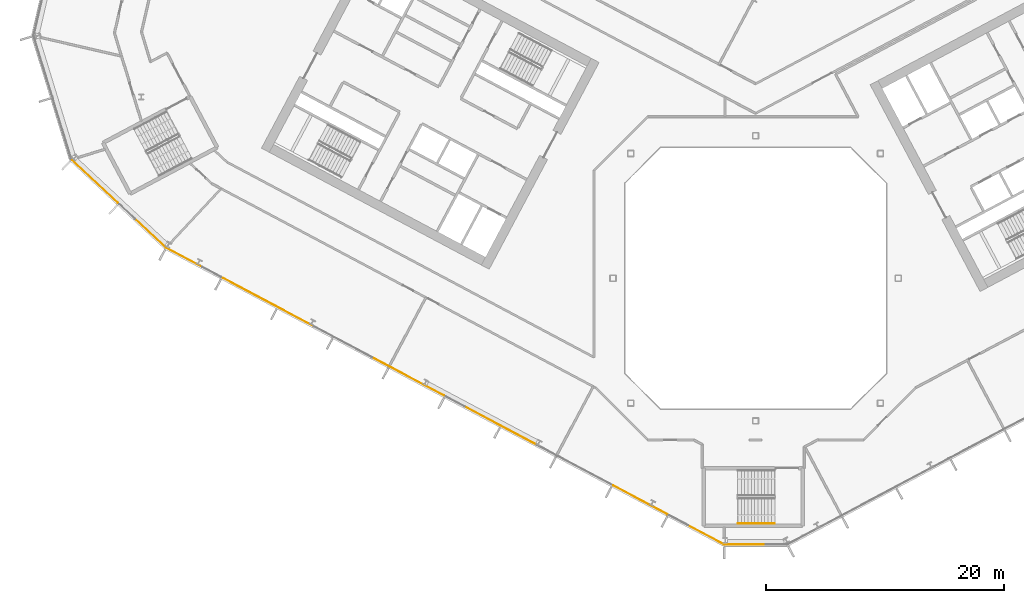
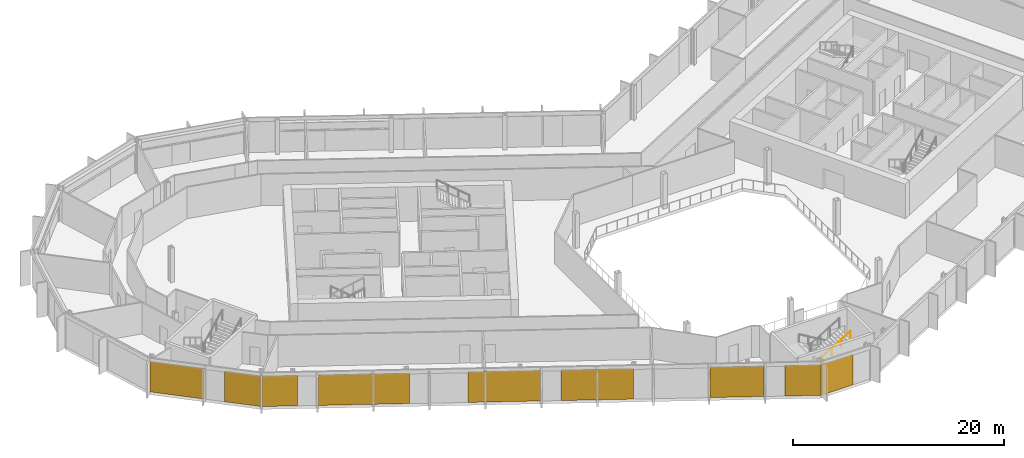
# One storey, part 19 of 28: 9 coverings, 1 railing, 3 elements without a shape of their own.
"""IFC4 building model written with IfcOpenShell, lengths in metres."""

import ifcopenshell
import ifcopenshell.guid

model = None  # the IFC model being written
_history = None  # IfcOwnerHistory: only IFC2X3 demands one
_inside = {}  # id of a spatial element -> (the spatial element, [elements in it])
_under = {}  # id of a project, library or spatial element -> (it, [spatial elements below it])
_declared = {}  # id of a project -> (the project, [libraries it declares])
_typed = {}  # id of a type object -> (the type object, [elements of that type])
_made_of = {}  # id of a material, layer set ... -> (it, [elements and type objects made of it])


def new_model(schema):
    """Start an empty IFC model of exactly this schema.

    Asked for "IFC4X3", IfcOpenShell would pick the latest addendum, in which some entities
    have other attributes; the version numbers below select the first issue.
    IFC2X3 requires an IfcOwnerHistory on every rooted entity: one is made here for all.
    """
    global model, _history
    if schema == "IFC4X3":
        model = ifcopenshell.file(schema_version=(4, 3, 0, 0))
    else:
        model = ifcopenshell.file(schema=schema)
    _inside.clear()
    _under.clear()
    _declared.clear()
    _typed.clear()
    _made_of.clear()
    _history = None
    if model.schema == "IFC2X3":
        org = make("IfcOrganization", Name="unknown")
        user = make(
            "IfcPersonAndOrganization",
            ThePerson=make("IfcPerson", FamilyName="unknown"),
            TheOrganization=org,
        )
        app = make(
            "IfcApplication",
            ApplicationDeveloper=org,
            Version="unknown",
            ApplicationFullName="unknown",
            ApplicationIdentifier="unknown",
        )
        _history = make(
            "IfcOwnerHistory",
            OwningUser=user,
            OwningApplication=app,
            ChangeAction="ADDED",
            CreationDate=0,
        )
    return model


def make(cls, **values):
    """One entity of the class cls with the attributes given. An attribute that is None is left unset."""
    return model.create_entity(
        cls, **{name: value for name, value in values.items() if value is not None}
    )


def rooted(cls, **values):
    """An entity with a GlobalId (a new one), such as an element, a storey or a relation."""
    return make(cls, GlobalId=ifcopenshell.guid.new(), OwnerHistory=_history, **values)


def si_unit(unit_type, name, prefix=None):
    """IfcSIUnit, for example si_unit("LENGTHUNIT", "METRE", prefix="MILLI")."""
    return make("IfcSIUnit", UnitType=unit_type, Prefix=prefix, Name=name)


def assignment(units):
    """IfcUnitAssignment: the units of a project."""
    return None if units is None else make("IfcUnitAssignment", Units=units)


def point(xyz):
    """IfcCartesianPoint."""
    return None if xyz is None else make("IfcCartesianPoint", Coordinates=xyz)


def direction(xyz):
    """IfcDirection."""
    return None if xyz is None else make("IfcDirection", DirectionRatios=xyz)


def frame(location, z_axis=None, x_axis=None):
    """IfcAxis2Placement3D, a coordinate frame: its origin and axes. An axis left out is left unset."""
    return make(
        "IfcAxis2Placement3D",
        Location=point(location),
        Axis=direction(z_axis),
        RefDirection=direction(x_axis),
    )


def frame_2d(location, x_axis=None):
    """IfcAxis2Placement2D, a coordinate frame in the plane: its origin and x axis."""
    return make(
        "IfcAxis2Placement2D", Location=point(location), RefDirection=direction(x_axis)
    )


def origin():
    """The frame at (0, 0, 0) with its axes left unset."""
    return frame((0.0, 0.0, 0.0))


def origin_2d():
    """The frame at (0, 0) in the plane with its x axis left unset."""
    return frame_2d((0.0, 0.0))


def place(relative_to, where):
    """IfcLocalPlacement: puts the frame where relative to a parent placement (None: the world)."""
    return make(
        "IfcLocalPlacement", PlacementRelTo=relative_to, RelativePlacement=where
    )


def context(
    kind, dimensions, precision=None, world=None, true_north=None, identifier=None
):
    """IfcGeometricRepresentationContext, for example the 3D "Model" context."""
    return make(
        "IfcGeometricRepresentationContext",
        ContextIdentifier=identifier,
        ContextType=kind,
        CoordinateSpaceDimension=dimensions,
        Precision=precision,
        WorldCoordinateSystem=world,
        TrueNorth=true_north,
    )


def subcontext(parent, identifier, kind, view, scale=None):
    """IfcGeometricRepresentationSubContext, for example "Body" below "Model"."""
    return make(
        "IfcGeometricRepresentationSubContext",
        ContextIdentifier=identifier,
        ContextType=kind,
        ParentContext=parent,
        TargetScale=scale,
        TargetView=view,
    )


def project(units=None, contexts=None):
    """IfcProject with its units and contexts."""
    return rooted(
        "IfcProject",
        Name="project",
        RepresentationContexts=contexts,
        UnitsInContext=assignment(units),
    )


def spatial(cls, under=None, at=None, **own):
    """A site, building, storey or space (cls), placed at a placement, below another one or the project."""
    s = rooted(cls, ObjectPlacement=at, **own)
    if under is not None:
        _under.setdefault(under.id(), (under, []))[1].append(s)
    return s


def polyline(points):
    """IfcPolyline through the points."""
    return make("IfcPolyline", Points=[point(p) for p in points])


def profile(cls, at=None, kind="AREA", **sizes):
    """A parametric profile (cls). Its sizes go by their IFC names, for example OverallWidth=200.0."""
    return make(cls, ProfileType=kind, Position=at, **sizes)


def rectangle(**sizes):
    """IfcRectangleProfileDef."""
    return profile("IfcRectangleProfileDef", **sizes)


def outline(outer, holes=None, kind="AREA"):
    """IfcArbitraryClosedProfileDef: a profile drawn as a closed curve; with holes, ...WithVoids."""
    if holes is None:
        return make("IfcArbitraryClosedProfileDef", ProfileType=kind, OuterCurve=outer)
    return make(
        "IfcArbitraryProfileDefWithVoids",
        ProfileType=kind,
        OuterCurve=outer,
        InnerCurves=holes,
    )


def extrude(swept, where, along, depth):
    """IfcExtrudedAreaSolid: the profile swept, set in the frame where, extruded along a direction by depth."""
    return make(
        "IfcExtrudedAreaSolid",
        SweptArea=swept,
        Position=where,
        ExtrudedDirection=direction(along),
        Depth=depth,
    )


def shape(context_of_items, identifier, shape_type, items):
    """IfcShapeRepresentation: the items that make up one representation, for example the "Body"."""
    return make(
        "IfcShapeRepresentation",
        ContextOfItems=context_of_items,
        RepresentationIdentifier=identifier,
        RepresentationType=shape_type,
        Items=items,
    )


def material(Name=None, Category=None):
    """IfcMaterial."""
    return make("IfcMaterial", Name=Name, Category=Category)


def layer(
    of_material, thickness, ventilated=None, Name=None, Category=None, Priority=None
):
    """IfcMaterialLayer: one layer of a wall or slab, of a material (None: an air gap)."""
    return make(
        "IfcMaterialLayer",
        Material=of_material,
        LayerThickness=thickness,
        IsVentilated=ventilated,
        Name=Name,
        Category=Category,
        Priority=Priority,
    )


def layer_set(layers, Name=None):
    """IfcMaterialLayerSet."""
    return make("IfcMaterialLayerSet", MaterialLayers=layers, LayerSetName=Name)


def made_of(thing, what):
    """Note that an element or type object is made of a material, layer set ...; save() writes the relation."""
    if what is not None:
        _made_of.setdefault(what.id(), (what, []))[1].append(thing)
    return thing


def type_object(cls, material=None, **own):
    """A type object (cls), such as IfcWallType, which elements share."""
    return made_of(rooted(cls, **own), material)


def element(
    cls,
    number,
    at=None,
    inside=None,
    cuts=None,
    type_object=None,
    material=None,
    context=None,
    identifier="Body",
    shape_type=None,
    held_by="IfcProductDefinitionShape",
    body=None,
    shapes=None,
    **own,
):
    """One element of the class cls, such as IfcWall. Its Tag is "e" and its number.

    at: its placement. inside: the storey or other place that contains it. cuts: it is an
    opening in that element (IfcRelVoidsElement). A single representation is given by context,
    identifier, shape_type and body (its items); several are given by shapes. held_by: the class
    of the entity that holds the representations. save() writes the other relations.
    """
    e = rooted(cls, Tag="e%d" % number, ObjectPlacement=at, **own)
    if body is not None:
        shapes = [shape(context, identifier, shape_type, body)]
    if shapes is not None:
        e.Representation = make(held_by, Representations=shapes)
    if inside is not None:
        _inside.setdefault(inside.id(), (inside, []))[1].append(e)
    if cuts is not None:
        rooted(
            "IfcRelVoidsElement", RelatingBuildingElement=cuts, RelatedOpeningElement=e
        )
    if type_object is not None:
        _typed.setdefault(type_object.id(), (type_object, []))[1].append(e)
    return made_of(e, material)


def aggregate(whole, parts):
    """IfcRelAggregates: a whole, such as a stair, and the parts it consists of."""
    return rooted("IfcRelAggregates", RelatingObject=whole, RelatedObjects=parts)


def save(model, path):
    """Write the relations noted so far, then the file.

    IfcRelAggregates (storeys below a building ...), IfcRelContainedInSpatialStructure (elements
    in a storey), IfcRelDefinesByType, IfcRelAssociatesMaterial and IfcRelDeclares: one each for
    every whole, place, type object, material and project.
    """
    for whole, parts in _under.values():
        aggregate(whole, parts)
    for where, things in _inside.values():
        rooted(
            "IfcRelContainedInSpatialStructure",
            RelatedElements=things,
            RelatingStructure=where,
        )
    for kind, things in _typed.values():
        rooted("IfcRelDefinesByType", RelatedObjects=things, RelatingType=kind)
    for what, things in _made_of.values():
        rooted("IfcRelAssociatesMaterial", RelatedObjects=things, RelatingMaterial=what)
    for by, libraries in _declared.values():
        rooted("IfcRelDeclares", RelatingContext=by, RelatedDefinitions=libraries)
    model.write(path)


model = new_model("IFC4")

# Units and contexts
model_context = context("Model", 3, precision=1e-05, world=origin(), true_north=direction((0.0, 1.0)))
body_context = subcontext(model_context, "Body", "Model", "MODEL_VIEW")
ifc_project = project(units=[si_unit("LENGTHUNIT", "METRE"), si_unit("AREAUNIT", "SQUARE_METRE"), si_unit("VOLUMEUNIT", "CUBIC_METRE"), si_unit("PLANEANGLEUNIT", "RADIAN"), si_unit("MASSUNIT", "GRAM", prefix="KILO")], contexts=[model_context])

# Site, building, storey
site_placement = place(None, origin())
site = spatial("IfcSite", under=ifc_project, at=site_placement, CompositionType="ELEMENT")
building_placement = place(site_placement, origin())
building = spatial("IfcBuilding", under=site, at=building_placement, Name="Cormorant Relay Tower", CompositionType="ELEMENT")
storey_placement = place(building_placement, frame((0.0, 0.0, 158.199951171875)))
storey = spatial("IfcBuildingStorey", under=building, at=storey_placement, Name="L33", CompositionType="ELEMENT", Elevation=158.199951171875)

# Curtain wall, covering
ifc_material_1 = material(Name="Aluminium 6063-T6 anodised bronze", Category="aluminium")
ifc_layer_1 = layer(ifc_material_1, 0.199951171875)
ifc_layer_set_1 = layer_set([ifc_layer_1], Name="CW1 unitised bronze curtain wall with vertical fins")
curtain_wall_type = type_object("IfcCurtainWallType", Name="CW1 unitised bronze curtain wall with vertical fins", PredefinedType="NOTDEFINED", material=ifc_layer_set_1)
curtain_wall_1_placement = place(storey_placement, origin())
curtain_wall_1 = element("IfcCurtainWall", 1, at=curtain_wall_1_placement, inside=storey, type_object=curtain_wall_type, Name="CW1 curtain wall 1", PredefinedType="NOTDEFINED")
ifc_material_2 = material(Name="Pale bronze anodised aluminium insulated panel", Category="aluminium")
ifc_layer_2 = layer(ifc_material_2, 0.0400390625)
ifc_layer_set_2 = layer_set([ifc_layer_2], Name="CW1 pale bronze insulated panel 40")
covering_type = type_object("IfcCoveringType", Name="CW1 pale bronze insulated panel 40", PredefinedType="CLADDING", material=ifc_layer_set_2)
covering_1_placement = place(storey_placement, frame((-0.862548828125, -22.3955078125, 0.0), z_axis=(0.0, 0.0, 1.0), x_axis=(1.0, 0.0, 0.0)))
covering_1 = element("IfcCovering", 2, at=covering_1_placement, type_object=covering_type, Name="CW1 panel S00", PredefinedType="CLADDING", context=body_context, shape_type="SweptSolid", body=[
    extrude(rectangle(XDim=3.422607421875, YDim=0.0400390625, at=origin_2d()), origin(), (0.0, 0.0, 1.0), 3.550048828125),
])
aggregate(curtain_wall_1, [covering_1])

# Curtain wall, coverings
curtain_wall_2_placement = place(storey_placement, origin())
curtain_wall_2 = element("IfcCurtainWall", 3, at=curtain_wall_2_placement, inside=storey, type_object=curtain_wall_type, Name="CW1 curtain wall 15", PredefinedType="NOTDEFINED")
covering_2_placement = place(storey_placement, frame((-55.56787109375, 8.1298828125, 0.0), z_axis=(0.0, 0.0, 1.0), x_axis=(0.731353701619, -0.681998360062, 0.0)))
covering_2 = element("IfcCovering", 4, at=covering_2_placement, type_object=covering_type, Name="CW1 panel S00", PredefinedType="CLADDING", context=body_context, shape_type="SweptSolid", body=[
    extrude(rectangle(XDim=5.28515625, YDim=0.0400390625, at=origin_2d()), origin(), (0.0, 0.0, 1.0), 3.550048828125),
])
covering_3_placement = place(storey_placement, frame((-50.906982421875, 3.78369140625, 0.0), z_axis=(0.0, 0.0, 1.0), x_axis=(0.731353701619, -0.681998360062, 0.0)))
covering_3 = element("IfcCovering", 5, at=covering_3_placement, type_object=covering_type, Name="CW1 panel S02", PredefinedType="CLADDING", context=body_context, shape_type="SweptSolid", body=[
    extrude(rectangle(XDim=3.560302734375, YDim=0.0400390625, at=origin_2d()), origin(), (0.0, 0.0, 1.0), 3.550048828125),
])
aggregate(curtain_wall_2, [covering_2, covering_3])

curtain_wall_3_placement = place(storey_placement, origin())
curtain_wall_3 = element("IfcCurtainWall", 6, at=curtain_wall_3_placement, inside=storey, type_object=curtain_wall_type, Name="CW1 curtain wall 16", PredefinedType="NOTDEFINED")
covering_4_placement = place(storey_placement, frame((-48.048583984375, 1.7412109375, 0.0), z_axis=(0.0, 0.0, 1.0), x_axis=(0.882947592859, -0.469471562786, 0.0)))
covering_4 = element("IfcCovering", 7, at=covering_4_placement, type_object=covering_type, Name="CW1 panel S00", PredefinedType="CLADDING", context=body_context, shape_type="SweptSolid", body=[
    extrude(rectangle(XDim=3.36669921875, YDim=0.0400390625, at=origin_2d()), origin(), (0.0, 0.0, 1.0), 3.550048828125),
])
covering_5_placement = place(storey_placement, frame((-41.007080078125, -2.002685546875, 0.0), z_axis=(0.0, 0.0, 1.0), x_axis=(0.882947592859, -0.469471562786, 0.0)))
covering_5 = element("IfcCovering", 8, at=covering_5_placement, type_object=covering_type, Name="CW1 panel S02", PredefinedType="CLADDING", context=body_context, shape_type="SweptSolid", body=[
    extrude(rectangle(XDim=8.68310546875, YDim=0.0400390625, at=origin_2d()), origin(), (0.0, 0.0, 1.0), 3.550048828125),
])
covering_6_placement = place(storey_placement, frame((-29.234619140625, -8.26220703125, 0.0), z_axis=(0.0, 0.0, 1.0), x_axis=(0.882947592859, -0.469471562786, 0.0)))
covering_6 = element("IfcCovering", 9, at=covering_6_placement, type_object=covering_type, Name="CW1 panel S05", PredefinedType="CLADDING", context=body_context, shape_type="SweptSolid", body=[
    extrude(rectangle(XDim=6.88330078125, YDim=0.0400390625, at=origin_2d()), origin(), (0.0, 0.0, 1.0), 3.550048828125),
])
covering_7_placement = place(storey_placement, frame((-21.435302734375, -12.4091796875, 0.0), z_axis=(0.0, 0.0, 1.0), x_axis=(0.882947592859, -0.469471562786, 0.0)))
covering_7 = element("IfcCovering", 10, at=covering_7_placement, type_object=covering_type, Name="CW1 panel S07", PredefinedType="CLADDING", context=body_context, shape_type="SweptSolid", body=[
    extrude(rectangle(XDim=6.88330078125, YDim=0.0400390625, at=origin_2d()), origin(), (0.0, 0.0, 1.0), 3.550048828125),
])
covering_8_placement = place(storey_placement, frame((-9.69970703125, -18.649169921875, 0.0), z_axis=(0.0, 0.0, 1.0), x_axis=(0.882947592859, -0.469471562786, 0.0)))
covering_8 = element("IfcCovering", 11, at=covering_8_placement, type_object=covering_type, Name="CW1 panel S10", PredefinedType="CLADDING", context=body_context, shape_type="SweptSolid", body=[
    extrude(rectangle(XDim=5.16650390625, YDim=0.0400390625, at=origin_2d()), origin(), (0.0, 0.0, 1.0), 3.550048828125),
])
covering_9_placement = place(storey_placement, frame((-4.177490234375, -21.58544921875, 0.0), z_axis=(0.0, 0.0, 1.0), x_axis=(0.882947592859, -0.469471562786, 0.0)))
covering_9 = element("IfcCovering", 12, at=covering_9_placement, type_object=covering_type, Name="CW1 panel S12", PredefinedType="CLADDING", context=body_context, shape_type="SweptSolid", body=[
    extrude(rectangle(XDim=3.441650390625, YDim=0.0400390625, at=origin_2d()), origin(), (0.0, 0.0, 1.0), 3.550048828125),
])
aggregate(curtain_wall_3, [covering_4, covering_5, covering_6, covering_7, covering_8, covering_9])

# Railing
ifc_material_3 = material(Name="Steel ASTM A572 Grade 50 (Fy 345 MPa)", Category="steel")
railing_type = type_object("IfcRailingType", Name="Stair handrail 900", PredefinedType="HANDRAIL", material=ifc_material_3)
railing_placement = place(storey_placement, frame((-1.47998046875, -20.625, 2.166748046875)))
element("IfcRailing", 13, at=railing_placement, inside=storey, type_object=railing_type, Name="L33 RK1 stair handrail 2", PredefinedType="HANDRAIL", context=body_context, shape_type="SweptSolid", body=[
    extrude(outline(polyline([(0.022216796875, 0.00927734375), (0.00927734375, 0.022216796875), (-0.00927734375, 0.022216796875), (-0.022216796875, 0.00927734375), (-0.022216796875, -0.00927734375), (-0.00927734375, -0.022216796875), (0.00927734375, -0.022216796875), (0.022216796875, -0.00927734375), (0.022216796875, 0.00927734375)])), frame((0.0, 0.0, 0.8759765625), z_axis=(0.859308565015, 0.0, 0.511457515432), x_axis=(0.0, 1.0, 0.0)), (0.0, 0.0, 1.0), 3.58447265625),
    extrude(outline(polyline([(0.019287109375, 0.008056640625), (0.008056640625, 0.019287109375), (-0.008056640625, 0.019287109375), (-0.019287109375, 0.008056640625), (-0.019287109375, -0.008056640625), (-0.008056640625, -0.019287109375), (0.008056640625, -0.019287109375), (0.019287109375, -0.008056640625), (0.019287109375, 0.008056640625)])), origin(), (0.0, 0.0, 1.0), 0.851806640625),
    extrude(outline(polyline([(0.019287109375, 0.008056640625), (0.008056640625, 0.019287109375), (-0.008056640625, 0.019287109375), (-0.019287109375, 0.008056640625), (-0.019287109375, -0.008056640625), (-0.008056640625, -0.019287109375), (0.008056640625, -0.019287109375), (0.019287109375, -0.008056640625), (0.019287109375, 0.008056640625)])), frame((1.026611328125, 0.0, 0.611083984375)), (0.0, 0.0, 1.0), 0.851806640625),
    extrude(outline(polyline([(0.019287109375, 0.008056640625), (0.008056640625, 0.019287109375), (-0.008056640625, 0.019287109375), (-0.019287109375, 0.008056640625), (-0.019287109375, -0.008056640625), (-0.008056640625, -0.019287109375), (0.008056640625, -0.019287109375), (0.019287109375, -0.008056640625), (0.019287109375, 0.008056640625)])), frame((2.053466796875, 0.0, 1.22216796875)), (0.0, 0.0, 1.0), 0.851806640625),
    extrude(outline(polyline([(0.019287109375, 0.008056640625), (0.008056640625, 0.019287109375), (-0.008056640625, 0.019287109375), (-0.019287109375, 0.008056640625), (-0.019287109375, -0.008056640625), (-0.008056640625, -0.019287109375), (0.008056640625, -0.019287109375), (0.019287109375, -0.008056640625), (0.019287109375, 0.008056640625)])), frame((3.080078125, 0.0, 1.833251953125)), (0.0, 0.0, 1.0), 0.851806640625),
])

save(model, "model.ifc")
